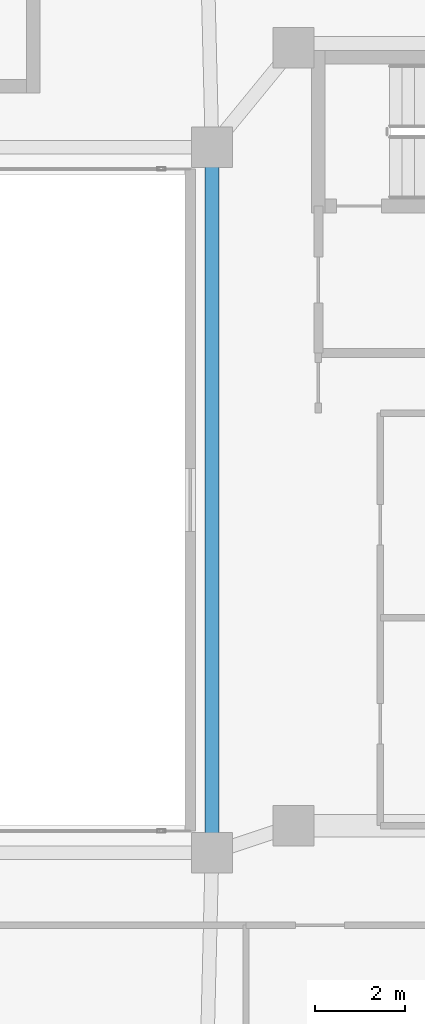
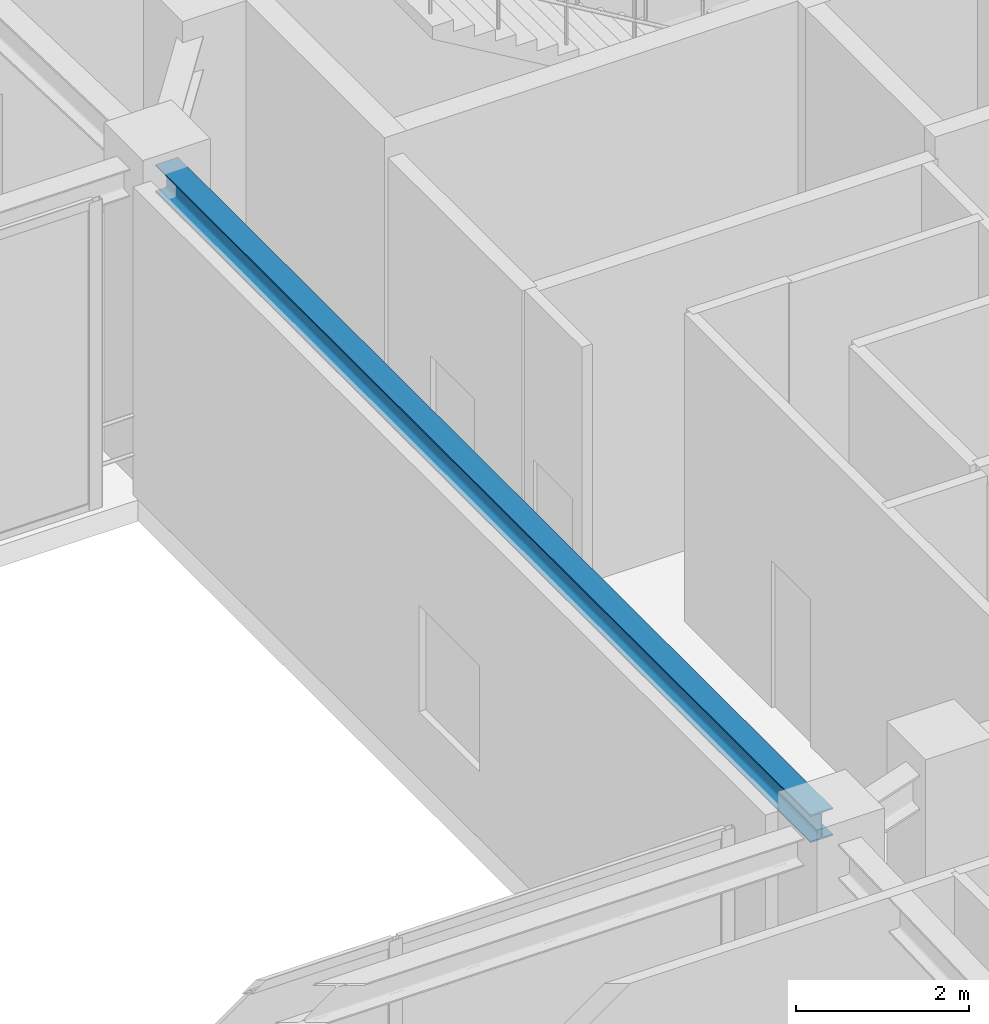
# One storey, part 11 of 34: 1 beam.
"""IFC4 building model written with IfcOpenShell, lengths in metres."""

from ifc_helpers import new_model, si_unit, direction, frame, origin, origin_2d, place, context, subcontext, project, spatial, i_section, extrude, material, material_profile, profile_set, type_object, element, save


model = new_model("IFC4")

# Units and contexts
model_context = context("Model", 3, precision=1e-05, world=origin(), true_north=direction((0.0, 1.0)))
body_context = subcontext(model_context, "Body", "Model", "MODEL_VIEW")
ifc_project = project(units=[si_unit("LENGTHUNIT", "METRE"), si_unit("AREAUNIT", "SQUARE_METRE"), si_unit("VOLUMEUNIT", "CUBIC_METRE"), si_unit("PLANEANGLEUNIT", "RADIAN"), si_unit("MASSUNIT", "GRAM", prefix="KILO")], contexts=[model_context])

# Site, building, storey
site_placement = place(None, origin())
site = spatial("IfcSite", under=ifc_project, at=site_placement, CompositionType="ELEMENT")
building_placement = place(site_placement, origin())
building = spatial("IfcBuilding", under=site, at=building_placement, Name="Tarnavaz Court Tower", CompositionType="ELEMENT")
storey_placement = place(building_placement, frame((0.0, 0.0, 231.75)))
storey = spatial("IfcBuildingStorey", under=building, at=storey_placement, Name="L63", CompositionType="ELEMENT", Elevation=231.75)

# Beam
ifc_material = material(Name="Steel S355", Category="steel")
ifc_material_profile = material_profile(ifc_material, i_section(OverallWidth=0.300048828125, OverallDepth=0.389892578125, WebThickness=0.010986328125, FlangeThickness=0.01904296875, FilletRadius=0.027099609375, at=origin_2d()), Name="HEA 400")
ifc_profile_set = profile_set([ifc_material_profile], Name="Steel S355")
beam_type = type_object("IfcBeamType", Name="BM-SP-HEA400", PredefinedType="BEAM", material=ifc_profile_set)
beam_placement = place(storey_placement, frame((7.800048828125, -7.580078125, 4.155029296875), z_axis=(0.0, 1.0, 0.0), x_axis=(-1.0, 0.0, 0.0)))
element("IfcBeam", 1, at=beam_placement, inside=storey, type_object=beam_type, Name="L63 Beam IN-IW-SE-IW-NE", PredefinedType="BEAM", context=body_context, shape_type="SweptSolid", body=[
    extrude(i_section(OverallWidth=0.300048828125, OverallDepth=0.389892578125, WebThickness=0.010986328125, FlangeThickness=0.01904296875, FilletRadius=0.027099609375, at=origin_2d()), origin(), (0.0, 0.0, 1.0), 15.16015625),
])

save(model, "model.ifc")
